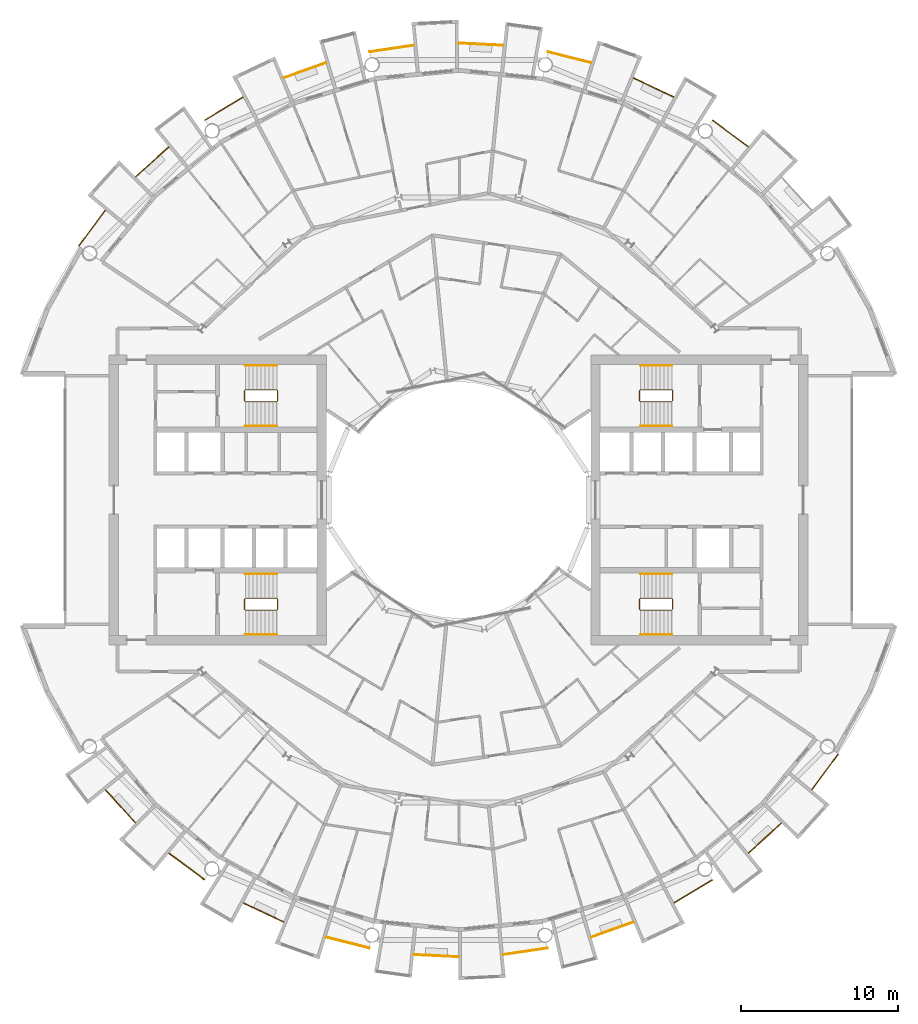
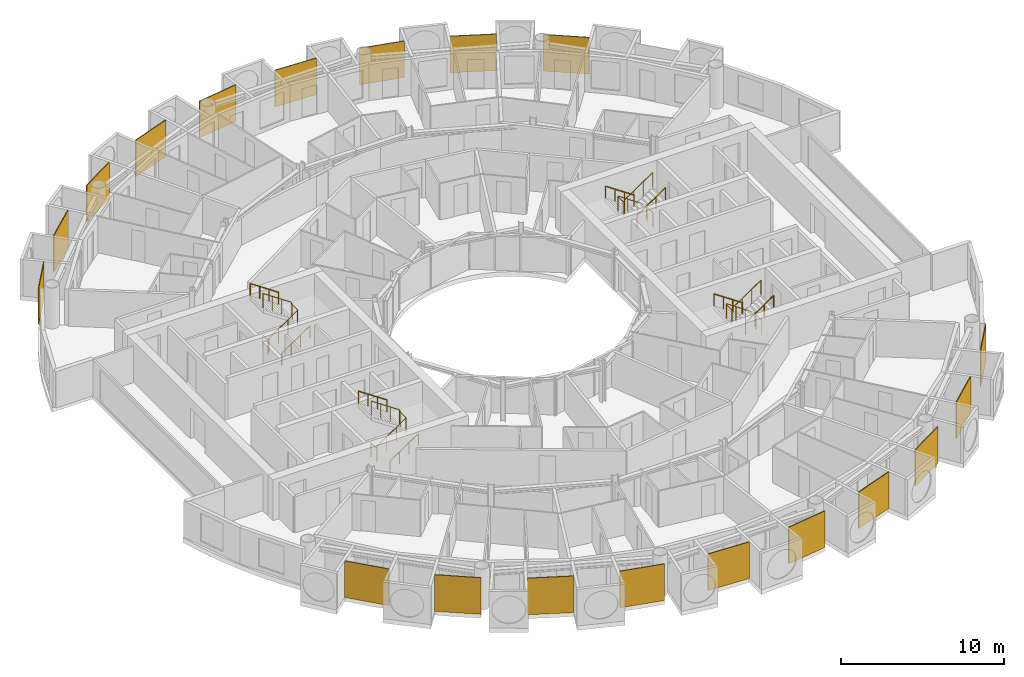
# One storey, part 27 of 28: 31 railings.
"""IFC4 building model written with IfcOpenShell, lengths in metres."""

import ifcopenshell
import ifcopenshell.guid

model = None  # the IFC model being written
_history = None  # IfcOwnerHistory: only IFC2X3 demands one
_inside = {}  # id of a spatial element -> (the spatial element, [elements in it])
_under = {}  # id of a project, library or spatial element -> (it, [spatial elements below it])
_declared = {}  # id of a project -> (the project, [libraries it declares])
_typed = {}  # id of a type object -> (the type object, [elements of that type])
_made_of = {}  # id of a material, layer set ... -> (it, [elements and type objects made of it])


def new_model(schema):
    """Start an empty IFC model of exactly this schema.

    Asked for "IFC4X3", IfcOpenShell would pick the latest addendum, in which some entities
    have other attributes; the version numbers below select the first issue.
    IFC2X3 requires an IfcOwnerHistory on every rooted entity: one is made here for all.
    """
    global model, _history
    if schema == "IFC4X3":
        model = ifcopenshell.file(schema_version=(4, 3, 0, 0))
    else:
        model = ifcopenshell.file(schema=schema)
    _inside.clear()
    _under.clear()
    _declared.clear()
    _typed.clear()
    _made_of.clear()
    _history = None
    if model.schema == "IFC2X3":
        org = make("IfcOrganization", Name="unknown")
        user = make(
            "IfcPersonAndOrganization",
            ThePerson=make("IfcPerson", FamilyName="unknown"),
            TheOrganization=org,
        )
        app = make(
            "IfcApplication",
            ApplicationDeveloper=org,
            Version="unknown",
            ApplicationFullName="unknown",
            ApplicationIdentifier="unknown",
        )
        _history = make(
            "IfcOwnerHistory",
            OwningUser=user,
            OwningApplication=app,
            ChangeAction="ADDED",
            CreationDate=0,
        )
    return model


def make(cls, **values):
    """One entity of the class cls with the attributes given. An attribute that is None is left unset."""
    return model.create_entity(
        cls, **{name: value for name, value in values.items() if value is not None}
    )


def rooted(cls, **values):
    """An entity with a GlobalId (a new one), such as an element, a storey or a relation."""
    return make(cls, GlobalId=ifcopenshell.guid.new(), OwnerHistory=_history, **values)


def si_unit(unit_type, name, prefix=None):
    """IfcSIUnit, for example si_unit("LENGTHUNIT", "METRE", prefix="MILLI")."""
    return make("IfcSIUnit", UnitType=unit_type, Prefix=prefix, Name=name)


def assignment(units):
    """IfcUnitAssignment: the units of a project."""
    return None if units is None else make("IfcUnitAssignment", Units=units)


def point(xyz):
    """IfcCartesianPoint."""
    return None if xyz is None else make("IfcCartesianPoint", Coordinates=xyz)


def direction(xyz):
    """IfcDirection."""
    return None if xyz is None else make("IfcDirection", DirectionRatios=xyz)


def frame(location, z_axis=None, x_axis=None):
    """IfcAxis2Placement3D, a coordinate frame: its origin and axes. An axis left out is left unset."""
    return make(
        "IfcAxis2Placement3D",
        Location=point(location),
        Axis=direction(z_axis),
        RefDirection=direction(x_axis),
    )


def frame_2d(location, x_axis=None):
    """IfcAxis2Placement2D, a coordinate frame in the plane: its origin and x axis."""
    return make(
        "IfcAxis2Placement2D", Location=point(location), RefDirection=direction(x_axis)
    )


def origin():
    """The frame at (0, 0, 0) with its axes left unset."""
    return frame((0.0, 0.0, 0.0))


def origin_2d():
    """The frame at (0, 0) in the plane with its x axis left unset."""
    return frame_2d((0.0, 0.0))


def place(relative_to, where):
    """IfcLocalPlacement: puts the frame where relative to a parent placement (None: the world)."""
    return make(
        "IfcLocalPlacement", PlacementRelTo=relative_to, RelativePlacement=where
    )


def context(
    kind, dimensions, precision=None, world=None, true_north=None, identifier=None
):
    """IfcGeometricRepresentationContext, for example the 3D "Model" context."""
    return make(
        "IfcGeometricRepresentationContext",
        ContextIdentifier=identifier,
        ContextType=kind,
        CoordinateSpaceDimension=dimensions,
        Precision=precision,
        WorldCoordinateSystem=world,
        TrueNorth=true_north,
    )


def subcontext(parent, identifier, kind, view, scale=None):
    """IfcGeometricRepresentationSubContext, for example "Body" below "Model"."""
    return make(
        "IfcGeometricRepresentationSubContext",
        ContextIdentifier=identifier,
        ContextType=kind,
        ParentContext=parent,
        TargetScale=scale,
        TargetView=view,
    )


def project(units=None, contexts=None):
    """IfcProject with its units and contexts."""
    return rooted(
        "IfcProject",
        Name="project",
        RepresentationContexts=contexts,
        UnitsInContext=assignment(units),
    )


def spatial(cls, under=None, at=None, **own):
    """A site, building, storey or space (cls), placed at a placement, below another one or the project."""
    s = rooted(cls, ObjectPlacement=at, **own)
    if under is not None:
        _under.setdefault(under.id(), (under, []))[1].append(s)
    return s


def polyline(points):
    """IfcPolyline through the points."""
    return make("IfcPolyline", Points=[point(p) for p in points])


def profile(cls, at=None, kind="AREA", **sizes):
    """A parametric profile (cls). Its sizes go by their IFC names, for example OverallWidth=200.0."""
    return make(cls, ProfileType=kind, Position=at, **sizes)


def circle(**sizes):
    """IfcCircleProfileDef."""
    return profile("IfcCircleProfileDef", **sizes)


def outline(outer, holes=None, kind="AREA"):
    """IfcArbitraryClosedProfileDef: a profile drawn as a closed curve; with holes, ...WithVoids."""
    if holes is None:
        return make("IfcArbitraryClosedProfileDef", ProfileType=kind, OuterCurve=outer)
    return make(
        "IfcArbitraryProfileDefWithVoids",
        ProfileType=kind,
        OuterCurve=outer,
        InnerCurves=holes,
    )


def extrude(swept, where, along, depth):
    """IfcExtrudedAreaSolid: the profile swept, set in the frame where, extruded along a direction by depth."""
    return make(
        "IfcExtrudedAreaSolid",
        SweptArea=swept,
        Position=where,
        ExtrudedDirection=direction(along),
        Depth=depth,
    )


def shape(context_of_items, identifier, shape_type, items):
    """IfcShapeRepresentation: the items that make up one representation, for example the "Body"."""
    return make(
        "IfcShapeRepresentation",
        ContextOfItems=context_of_items,
        RepresentationIdentifier=identifier,
        RepresentationType=shape_type,
        Items=items,
    )


def material(Name=None, Category=None):
    """IfcMaterial."""
    return make("IfcMaterial", Name=Name, Category=Category)


def layer(
    of_material, thickness, ventilated=None, Name=None, Category=None, Priority=None
):
    """IfcMaterialLayer: one layer of a wall or slab, of a material (None: an air gap)."""
    return make(
        "IfcMaterialLayer",
        Material=of_material,
        LayerThickness=thickness,
        IsVentilated=ventilated,
        Name=Name,
        Category=Category,
        Priority=Priority,
    )


def layer_set(layers, Name=None):
    """IfcMaterialLayerSet."""
    return make("IfcMaterialLayerSet", MaterialLayers=layers, LayerSetName=Name)


def made_of(thing, what):
    """Note that an element or type object is made of a material, layer set ...; save() writes the relation."""
    if what is not None:
        _made_of.setdefault(what.id(), (what, []))[1].append(thing)
    return thing


def type_object(cls, material=None, **own):
    """A type object (cls), such as IfcWallType, which elements share."""
    return made_of(rooted(cls, **own), material)


def element(
    cls,
    number,
    at=None,
    inside=None,
    cuts=None,
    type_object=None,
    material=None,
    context=None,
    identifier="Body",
    shape_type=None,
    held_by="IfcProductDefinitionShape",
    body=None,
    shapes=None,
    **own,
):
    """One element of the class cls, such as IfcWall. Its Tag is "e" and its number.

    at: its placement. inside: the storey or other place that contains it. cuts: it is an
    opening in that element (IfcRelVoidsElement). A single representation is given by context,
    identifier, shape_type and body (its items); several are given by shapes. held_by: the class
    of the entity that holds the representations. save() writes the other relations.
    """
    e = rooted(cls, Tag="e%d" % number, ObjectPlacement=at, **own)
    if body is not None:
        shapes = [shape(context, identifier, shape_type, body)]
    if shapes is not None:
        e.Representation = make(held_by, Representations=shapes)
    if inside is not None:
        _inside.setdefault(inside.id(), (inside, []))[1].append(e)
    if cuts is not None:
        rooted(
            "IfcRelVoidsElement", RelatingBuildingElement=cuts, RelatedOpeningElement=e
        )
    if type_object is not None:
        _typed.setdefault(type_object.id(), (type_object, []))[1].append(e)
    return made_of(e, material)


def aggregate(whole, parts):
    """IfcRelAggregates: a whole, such as a stair, and the parts it consists of."""
    return rooted("IfcRelAggregates", RelatingObject=whole, RelatedObjects=parts)


def save(model, path):
    """Write the relations noted so far, then the file.

    IfcRelAggregates (storeys below a building ...), IfcRelContainedInSpatialStructure (elements
    in a storey), IfcRelDefinesByType, IfcRelAssociatesMaterial and IfcRelDeclares: one each for
    every whole, place, type object, material and project.
    """
    for whole, parts in _under.values():
        aggregate(whole, parts)
    for where, things in _inside.values():
        rooted(
            "IfcRelContainedInSpatialStructure",
            RelatedElements=things,
            RelatingStructure=where,
        )
    for kind, things in _typed.values():
        rooted("IfcRelDefinesByType", RelatedObjects=things, RelatingType=kind)
    for what, things in _made_of.values():
        rooted("IfcRelAssociatesMaterial", RelatedObjects=things, RelatingMaterial=what)
    for by, libraries in _declared.values():
        rooted("IfcRelDeclares", RelatingContext=by, RelatedDefinitions=libraries)
    model.write(path)


model = new_model("IFC4")

# Units and contexts
model_context = context("Model", 3, precision=1e-05, world=origin(), true_north=direction((0.0, 1.0)))
body_context = subcontext(model_context, "Body", "Model", "MODEL_VIEW")
ifc_project = project(units=[si_unit("LENGTHUNIT", "METRE"), si_unit("AREAUNIT", "SQUARE_METRE"), si_unit("VOLUMEUNIT", "CUBIC_METRE"), si_unit("PLANEANGLEUNIT", "RADIAN"), si_unit("MASSUNIT", "GRAM", prefix="KILO")], contexts=[model_context])

# Site, building, storey
site_placement = place(None, origin())
site = spatial("IfcSite", under=ifc_project, at=site_placement, CompositionType="ELEMENT")
building_placement = place(site_placement, origin())
building = spatial("IfcBuilding", under=site, at=building_placement, Name="Maasbend Ring Residences", CompositionType="ELEMENT")
storey_placement = place(building_placement, frame((0.0, 0.0, 133.0)))
storey = spatial("IfcBuildingStorey", under=building, at=storey_placement, Name="L38", CompositionType="ELEMENT", Elevation=133.0)

# Railings
ifc_material_1 = material(Name="Pale anodised perforated aluminium", Category="aluminium")
ifc_layer = layer(ifc_material_1, 0.06005859375)
ifc_layer_set = layer_set([ifc_layer], Name="SCREEN-P")
railing_type_1 = type_object("IfcRailingType", Name="SCREEN-P", PredefinedType="GUARDRAIL", material=ifc_layer_set)
railing_1_placement = place(storey_placement, frame((0.0, 0.0, -0.030029296875)))
element("IfcRailing", 1, at=railing_1_placement, inside=storey, type_object=railing_type_1, Name="Perforated screen guard 2", PredefinedType="GUARDRAIL", context=body_context, shape_type="SweptSolid", body=[
    extrude(outline(polyline([(18.39697265625, 22.4169921875), (16.112060546875, 24.113037109375), (16.14697265625, 24.160888671875), (18.43310546875, 22.465087890625), (18.39697265625, 22.4169921875)])), origin(), (0.0, 0.0, 1.0), 2.72998046875),
])
railing_2_placement = place(storey_placement, frame((0.0, 0.0, -0.030029296875)))
element("IfcRailing", 2, at=railing_2_placement, inside=storey, type_object=railing_type_1, Name="Perforated screen guard 3", PredefinedType="GUARDRAIL", context=body_context, shape_type="SweptSolid", body=[
    extrude(outline(polyline([(13.6708984375, 25.575927734375), (11.097900390625, 26.79296875), (11.123046875, 26.846923828125), (13.696044921875, 25.6298828125), (13.6708984375, 25.575927734375)])), origin(), (0.0, 0.0, 1.0), 2.72998046875),
])
railing_3_placement = place(storey_placement, frame((0.0, 0.0, -0.030029296875)))
element("IfcRailing", 3, at=railing_3_placement, inside=storey, type_object=railing_type_1, Name="Perforated screen guard 4", PredefinedType="GUARDRAIL", context=body_context, shape_type="SweptSolid", body=[
    extrude(outline(polyline([(8.41796875, 27.7509765625), (5.657958984375, 28.443115234375), (5.672119140625, 28.5009765625), (8.43310546875, 27.80908203125), (8.41796875, 27.7509765625)])), origin(), (0.0, 0.0, 1.0), 2.72998046875),
])
railing_4_placement = place(storey_placement, frame((0.0, 0.0, -0.030029296875)))
element("IfcRailing", 4, at=railing_4_placement, inside=storey, type_object=railing_type_1, Name="Perforated screen guard 5", PredefinedType="GUARDRAIL", context=body_context, shape_type="SweptSolid", body=[
    extrude(outline(polyline([(2.842041015625, 28.860107421875), (0.0, 29.0), (0.0029296875, 29.06005859375), (2.844970703125, 28.919921875), (2.842041015625, 28.860107421875)])), origin(), (0.0, 0.0, 1.0), 2.72998046875),
])
railing_5_placement = place(storey_placement, frame((0.0, 0.0, -0.030029296875)))
element("IfcRailing", 5, at=railing_5_placement, inside=storey, type_object=railing_type_1, Name="Perforated screen guard 6", PredefinedType="GUARDRAIL", context=body_context, shape_type="SweptSolid", body=[
    extrude(outline(polyline([(-2.842041015625, 28.860107421875), (-5.657958984375, 28.443115234375), (-5.666015625, 28.501953125), (-2.85107421875, 28.919921875), (-2.842041015625, 28.860107421875)])), origin(), (0.0, 0.0, 1.0), 2.72998046875),
])
railing_6_placement = place(storey_placement, frame((0.0, 0.0, -0.030029296875)))
element("IfcRailing", 6, at=railing_6_placement, inside=storey, type_object=railing_type_1, Name="Perforated screen guard 7", PredefinedType="GUARDRAIL", context=body_context, shape_type="SweptSolid", body=[
    extrude(outline(polyline([(-8.41796875, 27.7509765625), (-11.097900390625, 26.79296875), (-11.117919921875, 26.84912109375), (-8.43798828125, 27.80810546875), (-8.41796875, 27.7509765625)])), origin(), (0.0, 0.0, 1.0), 2.72998046875),
])
railing_7_placement = place(storey_placement, frame((0.0, 0.0, -0.030029296875)))
element("IfcRailing", 7, at=railing_7_placement, inside=storey, type_object=railing_type_1, Name="Perforated screen guard 8", PredefinedType="GUARDRAIL", context=body_context, shape_type="SweptSolid", body=[
    extrude(outline(polyline([(-13.6708984375, 25.575927734375), (-16.112060546875, 24.113037109375), (-16.14208984375, 24.1640625), (-13.700927734375, 25.626953125), (-13.6708984375, 25.575927734375)])), origin(), (0.0, 0.0, 1.0), 2.72998046875),
])
railing_8_placement = place(storey_placement, frame((0.0, 0.0, -0.030029296875)))
element("IfcRailing", 8, at=railing_8_placement, inside=storey, type_object=railing_type_1, Name="Perforated screen guard 9", PredefinedType="GUARDRAIL", context=body_context, shape_type="SweptSolid", body=[
    extrude(outline(polyline([(-18.39697265625, 22.4169921875), (-20.506103515625, 20.506103515625), (-20.5458984375, 20.551025390625), (-18.43798828125, 22.4619140625), (-18.39697265625, 22.4169921875)])), origin(), (0.0, 0.0, 1.0), 2.72998046875),
])
railing_9_placement = place(storey_placement, frame((0.0, 0.0, -0.030029296875)))
element("IfcRailing", 9, at=railing_9_placement, inside=storey, type_object=railing_type_1, Name="Perforated screen guard 10", PredefinedType="GUARDRAIL", context=body_context, shape_type="SweptSolid", body=[
    extrude(outline(polyline([(-22.4169921875, 18.39697265625), (-24.113037109375, 16.112060546875), (-24.160888671875, 16.14697265625), (-22.465087890625, 18.43310546875), (-22.4169921875, 18.39697265625)])), origin(), (0.0, 0.0, 1.0), 2.72998046875),
])
railing_10_placement = place(storey_placement, frame((0.0, 0.0, -0.030029296875)))
element("IfcRailing", 10, at=railing_10_placement, inside=storey, type_object=railing_type_1, Name="Perforated screen guard 1", PredefinedType="GUARDRAIL", context=body_context, shape_type="SweptSolid", body=[
    extrude(outline(polyline([(-22.4169921875, -18.39697265625), (-20.506103515625, -20.506103515625), (-20.551025390625, -20.5458984375), (-22.4619140625, -18.43798828125), (-22.4169921875, -18.39697265625)])), origin(), (0.0, 0.0, 1.0), 2.72998046875),
])
railing_11_placement = place(storey_placement, frame((0.0, 0.0, -0.030029296875)))
element("IfcRailing", 11, at=railing_11_placement, inside=storey, type_object=railing_type_1, Name="Perforated screen guard 2", PredefinedType="GUARDRAIL", context=body_context, shape_type="SweptSolid", body=[
    extrude(outline(polyline([(-18.39697265625, -22.4169921875), (-16.112060546875, -24.113037109375), (-16.14697265625, -24.160888671875), (-18.43310546875, -22.465087890625), (-18.39697265625, -22.4169921875)])), origin(), (0.0, 0.0, 1.0), 2.72998046875),
])
railing_12_placement = place(storey_placement, frame((0.0, 0.0, -0.030029296875)))
element("IfcRailing", 12, at=railing_12_placement, inside=storey, type_object=railing_type_1, Name="Perforated screen guard 3", PredefinedType="GUARDRAIL", context=body_context, shape_type="SweptSolid", body=[
    extrude(outline(polyline([(-13.6708984375, -25.575927734375), (-11.097900390625, -26.79296875), (-11.123046875, -26.846923828125), (-13.696044921875, -25.6298828125), (-13.6708984375, -25.575927734375)])), origin(), (0.0, 0.0, 1.0), 2.72998046875),
])
railing_13_placement = place(storey_placement, frame((0.0, 0.0, -0.030029296875)))
element("IfcRailing", 13, at=railing_13_placement, inside=storey, type_object=railing_type_1, Name="Perforated screen guard 4", PredefinedType="GUARDRAIL", context=body_context, shape_type="SweptSolid", body=[
    extrude(outline(polyline([(-8.41796875, -27.7509765625), (-5.657958984375, -28.443115234375), (-5.672119140625, -28.5009765625), (-8.43310546875, -27.80908203125), (-8.41796875, -27.7509765625)])), origin(), (0.0, 0.0, 1.0), 2.72998046875),
])
railing_14_placement = place(storey_placement, frame((0.0, 0.0, -0.030029296875)))
element("IfcRailing", 14, at=railing_14_placement, inside=storey, type_object=railing_type_1, Name="Perforated screen guard 5", PredefinedType="GUARDRAIL", context=body_context, shape_type="SweptSolid", body=[
    extrude(outline(polyline([(-2.842041015625, -28.860107421875), (0.0, -29.0), (-0.0029296875, -29.06005859375), (-2.844970703125, -28.919921875), (-2.842041015625, -28.860107421875)])), origin(), (0.0, 0.0, 1.0), 2.72998046875),
])
railing_15_placement = place(storey_placement, frame((0.0, 0.0, -0.030029296875)))
element("IfcRailing", 15, at=railing_15_placement, inside=storey, type_object=railing_type_1, Name="Perforated screen guard 6", PredefinedType="GUARDRAIL", context=body_context, shape_type="SweptSolid", body=[
    extrude(outline(polyline([(2.842041015625, -28.860107421875), (5.657958984375, -28.443115234375), (5.666015625, -28.501953125), (2.85107421875, -28.919921875), (2.842041015625, -28.860107421875)])), origin(), (0.0, 0.0, 1.0), 2.72998046875),
])
railing_16_placement = place(storey_placement, frame((0.0, 0.0, -0.030029296875)))
element("IfcRailing", 16, at=railing_16_placement, inside=storey, type_object=railing_type_1, Name="Perforated screen guard 7", PredefinedType="GUARDRAIL", context=body_context, shape_type="SweptSolid", body=[
    extrude(outline(polyline([(8.41796875, -27.7509765625), (11.097900390625, -26.79296875), (11.117919921875, -26.84912109375), (8.43798828125, -27.80810546875), (8.41796875, -27.7509765625)])), origin(), (0.0, 0.0, 1.0), 2.72998046875),
])
railing_17_placement = place(storey_placement, frame((0.0, 0.0, -0.030029296875)))
element("IfcRailing", 17, at=railing_17_placement, inside=storey, type_object=railing_type_1, Name="Perforated screen guard 8", PredefinedType="GUARDRAIL", context=body_context, shape_type="SweptSolid", body=[
    extrude(outline(polyline([(13.6708984375, -25.575927734375), (16.112060546875, -24.113037109375), (16.14208984375, -24.1640625), (13.700927734375, -25.626953125), (13.6708984375, -25.575927734375)])), origin(), (0.0, 0.0, 1.0), 2.72998046875),
])
railing_18_placement = place(storey_placement, frame((0.0, 0.0, -0.030029296875)))
element("IfcRailing", 18, at=railing_18_placement, inside=storey, type_object=railing_type_1, Name="Perforated screen guard 9", PredefinedType="GUARDRAIL", context=body_context, shape_type="SweptSolid", body=[
    extrude(outline(polyline([(18.39697265625, -22.4169921875), (20.506103515625, -20.506103515625), (20.5458984375, -20.551025390625), (18.43798828125, -22.4619140625), (18.39697265625, -22.4169921875)])), origin(), (0.0, 0.0, 1.0), 2.72998046875),
])
railing_19_placement = place(storey_placement, frame((0.0, 0.0, -0.030029296875)))
element("IfcRailing", 19, at=railing_19_placement, inside=storey, type_object=railing_type_1, Name="Perforated screen guard 10", PredefinedType="GUARDRAIL", context=body_context, shape_type="SweptSolid", body=[
    extrude(outline(polyline([(22.4169921875, -18.39697265625), (24.113037109375, -16.112060546875), (24.160888671875, -16.14697265625), (22.465087890625, -18.43310546875), (22.4169921875, -18.39697265625)])), origin(), (0.0, 0.0, 1.0), 2.72998046875),
])
ifc_material_2 = material(Name="Stainless steel 316", Category="steel")
railing_type_2 = type_object("IfcRailingType", Name="STAIR GUARD 1100", PredefinedType="GUARDRAIL", material=ifc_material_2)
railing_20_placement = place(storey_placement, frame((13.60009765625, 6.300048828125, 0.0)))
element("IfcRailing", 20, at=railing_20_placement, inside=storey, type_object=railing_type_2, Name="L38 ST-E1 stair guard 1", PredefinedType="GUARDRAIL", context=body_context, shape_type="SweptSolid", body=[
    extrude(circle(Radius=0.02392578125, at=origin_2d()), frame((0.0, 0.0, 1.076171875), z_axis=(0.0, 1.0, 0.0), x_axis=(-1.0, 0.0, 0.0)), (0.0, 0.0, 1.0), 0.64990234375),
    extrude(circle(Radius=0.02392578125, at=origin_2d()), frame((0.0, 0.64990234375, 1.076171875), z_axis=(-0.272562526181, 0.272562526181, 0.92272386912), x_axis=(-0.707106781187, -0.707106781187, 0.0)), (0.0, 0.0, 1.0), 0.18359375),
    extrude(circle(Radius=0.02392578125, at=origin_2d()), frame((-0.050048828125, 0.699951171875, 1.24560546875), z_axis=(-0.827797584762, 0.0, 0.561026878735), x_axis=(0.0, -1.0, 0.0)), (0.0, 0.0, 1.0), 2.416015625),
    extrude(circle(Radius=0.02392578125, at=origin_2d()), frame((-2.050048828125, 0.699951171875, 2.60107421875), z_axis=(-0.707106781187, -0.707106781187, 0.0), x_axis=(0.707106781187, -0.707106781187, 0.0)), (0.0, 0.0, 1.0), 0.07080078125),
    extrude(circle(Radius=0.02392578125, at=origin_2d()), frame((-2.10009765625, 0.64990234375, 2.60107421875), z_axis=(0.0, -1.0, 0.0), x_axis=(1.0, 0.0, 0.0)), (0.0, 0.0, 1.0), 0.64990234375),
    extrude(circle(Radius=0.02392578125, at=origin_2d()), frame((-2.10009765625, 0.0, 2.60107421875), z_axis=(0.272562526181, -0.272562526181, 0.92272386912), x_axis=(0.707106781187, 0.707106781187, 0.0)), (0.0, 0.0, 1.0), 0.18359375),
    extrude(circle(Radius=0.02392578125, at=origin_2d()), frame((-2.050048828125, -0.050048828125, 2.7705078125), z_axis=(0.827750655447, 0.0, 0.561096116906), x_axis=(0.0, 1.0, 0.0)), (0.0, 0.0, 1.0), 2.416259765625),
    extrude(circle(Radius=0.02099609375, at=origin_2d()), origin(), (0.0, 0.0, 1.0), 1.052001953125),
    extrude(circle(Radius=0.02099609375, at=origin_2d()), frame((0.0, 0.64990234375, 0.0)), (0.0, 0.0, 1.0), 1.052001953125),
    extrude(circle(Radius=0.02099609375, at=origin_2d()), frame((-0.050048828125, 0.699951171875, 0.16943359375)), (0.0, 0.0, 1.0), 1.052001953125),
    extrude(circle(Radius=0.02099609375, at=origin_2d()), frame((-0.716796875, 0.699951171875, 0.621337890625)), (0.0, 0.0, 1.0), 1.052001953125),
    extrude(circle(Radius=0.02099609375, at=origin_2d()), frame((-1.38330078125, 0.699951171875, 1.072998046875)), (0.0, 0.0, 1.0), 1.052001953125),
    extrude(circle(Radius=0.02099609375, at=origin_2d()), frame((-2.050048828125, 0.699951171875, 1.52490234375)), (0.0, 0.0, 1.0), 1.052001953125),
    extrude(circle(Radius=0.02099609375, at=origin_2d()), frame((-2.10009765625, 0.64990234375, 1.52490234375)), (0.0, 0.0, 1.0), 1.052001953125),
    extrude(circle(Radius=0.02099609375, at=origin_2d()), frame((-2.10009765625, 0.0, 1.52490234375)), (0.0, 0.0, 1.0), 1.052001953125),
    extrude(circle(Radius=0.02099609375, at=origin_2d()), frame((-2.050048828125, -0.050048828125, 1.6943359375)), (0.0, 0.0, 1.0), 1.052001953125),
    extrude(circle(Radius=0.02099609375, at=origin_2d()), frame((-1.38330078125, -0.050048828125, 2.146240234375)), (0.0, 0.0, 1.0), 1.052001953125),
    extrude(circle(Radius=0.02099609375, at=origin_2d()), frame((-0.716796875, -0.050048828125, 2.59814453125)), (0.0, 0.0, 1.0), 1.052001953125),
    extrude(circle(Radius=0.02099609375, at=origin_2d()), frame((-0.050048828125, -0.050048828125, 3.050048828125)), (0.0, 0.0, 1.0), 1.052001953125),
])
railing_21_placement = place(storey_placement, frame((13.60009765625, -6.949951171875, 0.0)))
element("IfcRailing", 21, at=railing_21_placement, inside=storey, type_object=railing_type_2, Name="L38 ST-E2 stair guard 1", PredefinedType="GUARDRAIL", context=body_context, shape_type="SweptSolid", body=[
    extrude(circle(Radius=0.02392578125, at=origin_2d()), frame((0.0, 0.0, 1.076171875), z_axis=(0.0, 1.0, 0.0), x_axis=(-1.0, 0.0, 0.0)), (0.0, 0.0, 1.0), 0.64990234375),
    extrude(circle(Radius=0.02392578125, at=origin_2d()), frame((0.0, 0.64990234375, 1.076171875), z_axis=(-0.272562526181, 0.272562526181, 0.92272386912), x_axis=(-0.707106781187, -0.707106781187, 0.0)), (0.0, 0.0, 1.0), 0.18359375),
    extrude(circle(Radius=0.02392578125, at=origin_2d()), frame((-0.050048828125, 0.699951171875, 1.24560546875), z_axis=(-0.827797584762, 0.0, 0.561026878735), x_axis=(0.0, -1.0, 0.0)), (0.0, 0.0, 1.0), 2.416015625),
    extrude(circle(Radius=0.02392578125, at=origin_2d()), frame((-2.050048828125, 0.699951171875, 2.60107421875), z_axis=(-0.707106781187, -0.707106781187, 0.0), x_axis=(0.707106781187, -0.707106781187, 0.0)), (0.0, 0.0, 1.0), 0.07080078125),
    extrude(circle(Radius=0.02392578125, at=origin_2d()), frame((-2.10009765625, 0.64990234375, 2.60107421875), z_axis=(0.0, -1.0, 0.0), x_axis=(1.0, 0.0, 0.0)), (0.0, 0.0, 1.0), 0.64990234375),
    extrude(circle(Radius=0.02392578125, at=origin_2d()), frame((-2.10009765625, 0.0, 2.60107421875), z_axis=(0.272562526181, -0.272562526181, 0.92272386912), x_axis=(0.707106781187, 0.707106781187, 0.0)), (0.0, 0.0, 1.0), 0.18359375),
    extrude(circle(Radius=0.02392578125, at=origin_2d()), frame((-2.050048828125, -0.050048828125, 2.7705078125), z_axis=(0.827750655447, 0.0, 0.561096116906), x_axis=(0.0, 1.0, 0.0)), (0.0, 0.0, 1.0), 2.416259765625),
    extrude(circle(Radius=0.02099609375, at=origin_2d()), origin(), (0.0, 0.0, 1.0), 1.052001953125),
    extrude(circle(Radius=0.02099609375, at=origin_2d()), frame((0.0, 0.64990234375, 0.0)), (0.0, 0.0, 1.0), 1.052001953125),
    extrude(circle(Radius=0.02099609375, at=origin_2d()), frame((-0.050048828125, 0.699951171875, 0.16943359375)), (0.0, 0.0, 1.0), 1.052001953125),
    extrude(circle(Radius=0.02099609375, at=origin_2d()), frame((-0.716796875, 0.699951171875, 0.621337890625)), (0.0, 0.0, 1.0), 1.052001953125),
    extrude(circle(Radius=0.02099609375, at=origin_2d()), frame((-1.38330078125, 0.699951171875, 1.072998046875)), (0.0, 0.0, 1.0), 1.052001953125),
    extrude(circle(Radius=0.02099609375, at=origin_2d()), frame((-2.050048828125, 0.699951171875, 1.52490234375)), (0.0, 0.0, 1.0), 1.052001953125),
    extrude(circle(Radius=0.02099609375, at=origin_2d()), frame((-2.10009765625, 0.64990234375, 1.52490234375)), (0.0, 0.0, 1.0), 1.052001953125),
    extrude(circle(Radius=0.02099609375, at=origin_2d()), frame((-2.10009765625, 0.0, 1.52490234375)), (0.0, 0.0, 1.0), 1.052001953125),
    extrude(circle(Radius=0.02099609375, at=origin_2d()), frame((-2.050048828125, -0.050048828125, 1.6943359375)), (0.0, 0.0, 1.0), 1.052001953125),
    extrude(circle(Radius=0.02099609375, at=origin_2d()), frame((-1.38330078125, -0.050048828125, 2.146240234375)), (0.0, 0.0, 1.0), 1.052001953125),
    extrude(circle(Radius=0.02099609375, at=origin_2d()), frame((-0.716796875, -0.050048828125, 2.59814453125)), (0.0, 0.0, 1.0), 1.052001953125),
    extrude(circle(Radius=0.02099609375, at=origin_2d()), frame((-0.050048828125, -0.050048828125, 3.050048828125)), (0.0, 0.0, 1.0), 1.052001953125),
])
railing_22_placement = place(storey_placement, frame((-13.60009765625, -6.300048828125, 0.0)))
element("IfcRailing", 22, at=railing_22_placement, inside=storey, type_object=railing_type_2, Name="L38 ST-W1 stair guard 1", PredefinedType="GUARDRAIL", context=body_context, shape_type="SweptSolid", body=[
    extrude(circle(Radius=0.02392578125, at=origin_2d()), frame((0.0, 0.0, 1.076171875), z_axis=(0.0, -1.0, 0.0), x_axis=(1.0, 0.0, 0.0)), (0.0, 0.0, 1.0), 0.64990234375),
    extrude(circle(Radius=0.02392578125, at=origin_2d()), frame((0.0, -0.64990234375, 1.076171875), z_axis=(0.272562526181, -0.272562526181, 0.92272386912), x_axis=(0.707106781187, 0.707106781187, 0.0)), (0.0, 0.0, 1.0), 0.18359375),
    extrude(circle(Radius=0.02392578125, at=origin_2d()), frame((0.050048828125, -0.699951171875, 1.24560546875), z_axis=(0.827797584762, 0.0, 0.561026878735), x_axis=(0.0, 1.0, 0.0)), (0.0, 0.0, 1.0), 2.416015625),
    extrude(circle(Radius=0.02392578125, at=origin_2d()), frame((2.050048828125, -0.699951171875, 2.60107421875), z_axis=(0.707106781187, 0.707106781187, 0.0), x_axis=(-0.707106781187, 0.707106781187, 0.0)), (0.0, 0.0, 1.0), 0.07080078125),
    extrude(circle(Radius=0.02392578125, at=origin_2d()), frame((2.10009765625, -0.64990234375, 2.60107421875), z_axis=(0.0, 1.0, 0.0), x_axis=(-1.0, 0.0, 0.0)), (0.0, 0.0, 1.0), 0.64990234375),
    extrude(circle(Radius=0.02392578125, at=origin_2d()), frame((2.10009765625, 0.0, 2.60107421875), z_axis=(-0.272562526181, 0.272562526181, 0.92272386912), x_axis=(-0.707106781187, -0.707106781187, 0.0)), (0.0, 0.0, 1.0), 0.18359375),
    extrude(circle(Radius=0.02392578125, at=origin_2d()), frame((2.050048828125, 0.050048828125, 2.7705078125), z_axis=(-0.827750655447, 0.0, 0.561096116906), x_axis=(0.0, -1.0, 0.0)), (0.0, 0.0, 1.0), 2.416259765625),
    extrude(circle(Radius=0.02099609375, at=origin_2d()), origin(), (0.0, 0.0, 1.0), 1.052001953125),
    extrude(circle(Radius=0.02099609375, at=origin_2d()), frame((0.0, -0.64990234375, 0.0)), (0.0, 0.0, 1.0), 1.052001953125),
    extrude(circle(Radius=0.02099609375, at=origin_2d()), frame((0.050048828125, -0.699951171875, 0.16943359375)), (0.0, 0.0, 1.0), 1.052001953125),
    extrude(circle(Radius=0.02099609375, at=origin_2d()), frame((0.716796875, -0.699951171875, 0.621337890625)), (0.0, 0.0, 1.0), 1.052001953125),
    extrude(circle(Radius=0.02099609375, at=origin_2d()), frame((1.38330078125, -0.699951171875, 1.072998046875)), (0.0, 0.0, 1.0), 1.052001953125),
    extrude(circle(Radius=0.02099609375, at=origin_2d()), frame((2.050048828125, -0.699951171875, 1.52490234375)), (0.0, 0.0, 1.0), 1.052001953125),
    extrude(circle(Radius=0.02099609375, at=origin_2d()), frame((2.10009765625, -0.64990234375, 1.52490234375)), (0.0, 0.0, 1.0), 1.052001953125),
    extrude(circle(Radius=0.02099609375, at=origin_2d()), frame((2.10009765625, 0.0, 1.52490234375)), (0.0, 0.0, 1.0), 1.052001953125),
    extrude(circle(Radius=0.02099609375, at=origin_2d()), frame((2.050048828125, 0.050048828125, 1.6943359375)), (0.0, 0.0, 1.0), 1.052001953125),
    extrude(circle(Radius=0.02099609375, at=origin_2d()), frame((1.38330078125, 0.050048828125, 2.146240234375)), (0.0, 0.0, 1.0), 1.052001953125),
    extrude(circle(Radius=0.02099609375, at=origin_2d()), frame((0.716796875, 0.050048828125, 2.59814453125)), (0.0, 0.0, 1.0), 1.052001953125),
    extrude(circle(Radius=0.02099609375, at=origin_2d()), frame((0.050048828125, 0.050048828125, 3.050048828125)), (0.0, 0.0, 1.0), 1.052001953125),
])
railing_23_placement = place(storey_placement, frame((-13.60009765625, 6.949951171875, 0.0)))
element("IfcRailing", 23, at=railing_23_placement, inside=storey, type_object=railing_type_2, Name="L38 ST-W2 stair guard 1", PredefinedType="GUARDRAIL", context=body_context, shape_type="SweptSolid", body=[
    extrude(circle(Radius=0.02392578125, at=origin_2d()), frame((0.0, 0.0, 1.076171875), z_axis=(0.0, -1.0, 0.0), x_axis=(1.0, 0.0, 0.0)), (0.0, 0.0, 1.0), 0.64990234375),
    extrude(circle(Radius=0.02392578125, at=origin_2d()), frame((0.0, -0.64990234375, 1.076171875), z_axis=(0.272562526181, -0.272562526181, 0.92272386912), x_axis=(0.707106781187, 0.707106781187, 0.0)), (0.0, 0.0, 1.0), 0.18359375),
    extrude(circle(Radius=0.02392578125, at=origin_2d()), frame((0.050048828125, -0.699951171875, 1.24560546875), z_axis=(0.827797584762, 0.0, 0.561026878735), x_axis=(0.0, 1.0, 0.0)), (0.0, 0.0, 1.0), 2.416015625),
    extrude(circle(Radius=0.02392578125, at=origin_2d()), frame((2.050048828125, -0.699951171875, 2.60107421875), z_axis=(0.707106781187, 0.707106781187, 0.0), x_axis=(-0.707106781187, 0.707106781187, 0.0)), (0.0, 0.0, 1.0), 0.07080078125),
    extrude(circle(Radius=0.02392578125, at=origin_2d()), frame((2.10009765625, -0.64990234375, 2.60107421875), z_axis=(0.0, 1.0, 0.0), x_axis=(-1.0, 0.0, 0.0)), (0.0, 0.0, 1.0), 0.64990234375),
    extrude(circle(Radius=0.02392578125, at=origin_2d()), frame((2.10009765625, 0.0, 2.60107421875), z_axis=(-0.272562526181, 0.272562526181, 0.92272386912), x_axis=(-0.707106781187, -0.707106781187, 0.0)), (0.0, 0.0, 1.0), 0.18359375),
    extrude(circle(Radius=0.02392578125, at=origin_2d()), frame((2.050048828125, 0.050048828125, 2.7705078125), z_axis=(-0.827750655447, 0.0, 0.561096116906), x_axis=(0.0, -1.0, 0.0)), (0.0, 0.0, 1.0), 2.416259765625),
    extrude(circle(Radius=0.02099609375, at=origin_2d()), origin(), (0.0, 0.0, 1.0), 1.052001953125),
    extrude(circle(Radius=0.02099609375, at=origin_2d()), frame((0.0, -0.64990234375, 0.0)), (0.0, 0.0, 1.0), 1.052001953125),
    extrude(circle(Radius=0.02099609375, at=origin_2d()), frame((0.050048828125, -0.699951171875, 0.16943359375)), (0.0, 0.0, 1.0), 1.052001953125),
    extrude(circle(Radius=0.02099609375, at=origin_2d()), frame((0.716796875, -0.699951171875, 0.621337890625)), (0.0, 0.0, 1.0), 1.052001953125),
    extrude(circle(Radius=0.02099609375, at=origin_2d()), frame((1.38330078125, -0.699951171875, 1.072998046875)), (0.0, 0.0, 1.0), 1.052001953125),
    extrude(circle(Radius=0.02099609375, at=origin_2d()), frame((2.050048828125, -0.699951171875, 1.52490234375)), (0.0, 0.0, 1.0), 1.052001953125),
    extrude(circle(Radius=0.02099609375, at=origin_2d()), frame((2.10009765625, -0.64990234375, 1.52490234375)), (0.0, 0.0, 1.0), 1.052001953125),
    extrude(circle(Radius=0.02099609375, at=origin_2d()), frame((2.10009765625, 0.0, 1.52490234375)), (0.0, 0.0, 1.0), 1.052001953125),
    extrude(circle(Radius=0.02099609375, at=origin_2d()), frame((2.050048828125, 0.050048828125, 1.6943359375)), (0.0, 0.0, 1.0), 1.052001953125),
    extrude(circle(Radius=0.02099609375, at=origin_2d()), frame((1.38330078125, 0.050048828125, 2.146240234375)), (0.0, 0.0, 1.0), 1.052001953125),
    extrude(circle(Radius=0.02099609375, at=origin_2d()), frame((0.716796875, 0.050048828125, 2.59814453125)), (0.0, 0.0, 1.0), 1.052001953125),
    extrude(circle(Radius=0.02099609375, at=origin_2d()), frame((0.050048828125, 0.050048828125, 3.050048828125)), (0.0, 0.0, 1.0), 1.052001953125),
])
ifc_material_3 = material(Name="Stainless steel 316", Category="steel")
railing_type_3 = type_object("IfcRailingType", Name="STAIR HANDRAIL 900", PredefinedType="HANDRAIL", material=ifc_material_3)
railing_24_placement = place(storey_placement, frame((13.550048828125, 8.550048828125, 0.16943359375)))
element("IfcRailing", 24, at=railing_24_placement, inside=storey, type_object=railing_type_3, Name="L38 ST-E1 stair handrail 1", PredefinedType="HANDRAIL", context=body_context, shape_type="SweptSolid", body=[
    extrude(circle(Radius=0.02392578125, at=origin_2d()), frame((0.0, 0.0, 0.8759765625), z_axis=(-0.827797584762, 0.0, 0.561026878735), x_axis=(0.0, -1.0, 0.0)), (0.0, 0.0, 1.0), 2.416015625),
    extrude(circle(Radius=0.02099609375, at=origin_2d()), origin(), (0.0, 0.0, 1.0), 0.851806640625),
    extrude(circle(Radius=0.02099609375, at=origin_2d()), frame((-0.666748046875, 0.0, 0.451904296875)), (0.0, 0.0, 1.0), 0.851806640625),
    extrude(circle(Radius=0.02099609375, at=origin_2d()), frame((-1.333251953125, 0.0, 0.903564453125)), (0.0, 0.0, 1.0), 0.851806640625),
    extrude(circle(Radius=0.02099609375, at=origin_2d()), frame((-2.0, 0.0, 1.35546875)), (0.0, 0.0, 1.0), 0.851806640625),
])
railing_25_placement = place(storey_placement, frame((11.550048828125, 4.699951171875, 1.6943359375)))
element("IfcRailing", 25, at=railing_25_placement, inside=storey, type_object=railing_type_3, Name="L38 ST-E1 stair handrail 2", PredefinedType="HANDRAIL", context=body_context, shape_type="SweptSolid", body=[
    extrude(circle(Radius=0.02392578125, at=origin_2d()), frame((0.0, 0.0, 0.8759765625), z_axis=(0.827750655447, 0.0, 0.561096116906), x_axis=(0.0, 1.0, 0.0)), (0.0, 0.0, 1.0), 2.416259765625),
    extrude(circle(Radius=0.02099609375, at=origin_2d()), origin(), (0.0, 0.0, 1.0), 0.851806640625),
    extrude(circle(Radius=0.02099609375, at=origin_2d()), frame((0.666748046875, 0.0, 0.451904296875)), (0.0, 0.0, 1.0), 0.851806640625),
    extrude(circle(Radius=0.02099609375, at=origin_2d()), frame((1.333251953125, 0.0, 0.90380859375)), (0.0, 0.0, 1.0), 0.851806640625),
    extrude(circle(Radius=0.02099609375, at=origin_2d()), frame((2.0, 0.0, 1.355712890625)), (0.0, 0.0, 1.0), 0.851806640625),
])
railing_26_placement = place(storey_placement, frame((13.550048828125, -4.699951171875, 0.16943359375)))
element("IfcRailing", 26, at=railing_26_placement, inside=storey, type_object=railing_type_3, Name="L38 ST-E2 stair handrail 1", PredefinedType="HANDRAIL", context=body_context, shape_type="SweptSolid", body=[
    extrude(circle(Radius=0.02392578125, at=origin_2d()), frame((0.0, 0.0, 0.8759765625), z_axis=(-0.827797584762, 0.0, 0.561026878735), x_axis=(0.0, -1.0, 0.0)), (0.0, 0.0, 1.0), 2.416015625),
    extrude(circle(Radius=0.02099609375, at=origin_2d()), origin(), (0.0, 0.0, 1.0), 0.851806640625),
    extrude(circle(Radius=0.02099609375, at=origin_2d()), frame((-0.666748046875, 0.0, 0.451904296875)), (0.0, 0.0, 1.0), 0.851806640625),
    extrude(circle(Radius=0.02099609375, at=origin_2d()), frame((-1.333251953125, 0.0, 0.903564453125)), (0.0, 0.0, 1.0), 0.851806640625),
    extrude(circle(Radius=0.02099609375, at=origin_2d()), frame((-2.0, 0.0, 1.35546875)), (0.0, 0.0, 1.0), 0.851806640625),
])
railing_27_placement = place(storey_placement, frame((11.550048828125, -8.550048828125, 1.6943359375)))
element("IfcRailing", 27, at=railing_27_placement, inside=storey, type_object=railing_type_3, Name="L38 ST-E2 stair handrail 2", PredefinedType="HANDRAIL", context=body_context, shape_type="SweptSolid", body=[
    extrude(circle(Radius=0.02392578125, at=origin_2d()), frame((0.0, 0.0, 0.8759765625), z_axis=(0.827750655447, 0.0, 0.561096116906), x_axis=(0.0, 1.0, 0.0)), (0.0, 0.0, 1.0), 2.416259765625),
    extrude(circle(Radius=0.02099609375, at=origin_2d()), origin(), (0.0, 0.0, 1.0), 0.851806640625),
    extrude(circle(Radius=0.02099609375, at=origin_2d()), frame((0.666748046875, 0.0, 0.451904296875)), (0.0, 0.0, 1.0), 0.851806640625),
    extrude(circle(Radius=0.02099609375, at=origin_2d()), frame((1.333251953125, 0.0, 0.90380859375)), (0.0, 0.0, 1.0), 0.851806640625),
    extrude(circle(Radius=0.02099609375, at=origin_2d()), frame((2.0, 0.0, 1.355712890625)), (0.0, 0.0, 1.0), 0.851806640625),
])
railing_28_placement = place(storey_placement, frame((-13.550048828125, -8.550048828125, 0.16943359375)))
element("IfcRailing", 28, at=railing_28_placement, inside=storey, type_object=railing_type_3, Name="L38 ST-W1 stair handrail 1", PredefinedType="HANDRAIL", context=body_context, shape_type="SweptSolid", body=[
    extrude(circle(Radius=0.02392578125, at=origin_2d()), frame((0.0, 0.0, 0.8759765625), z_axis=(0.827797584762, 0.0, 0.561026878735), x_axis=(0.0, 1.0, 0.0)), (0.0, 0.0, 1.0), 2.416015625),
    extrude(circle(Radius=0.02099609375, at=origin_2d()), origin(), (0.0, 0.0, 1.0), 0.851806640625),
    extrude(circle(Radius=0.02099609375, at=origin_2d()), frame((0.666748046875, 0.0, 0.451904296875)), (0.0, 0.0, 1.0), 0.851806640625),
    extrude(circle(Radius=0.02099609375, at=origin_2d()), frame((1.333251953125, 0.0, 0.903564453125)), (0.0, 0.0, 1.0), 0.851806640625),
    extrude(circle(Radius=0.02099609375, at=origin_2d()), frame((2.0, 0.0, 1.35546875)), (0.0, 0.0, 1.0), 0.851806640625),
])
railing_29_placement = place(storey_placement, frame((-11.550048828125, -4.699951171875, 1.6943359375)))
element("IfcRailing", 29, at=railing_29_placement, inside=storey, type_object=railing_type_3, Name="L38 ST-W1 stair handrail 2", PredefinedType="HANDRAIL", context=body_context, shape_type="SweptSolid", body=[
    extrude(circle(Radius=0.02392578125, at=origin_2d()), frame((0.0, 0.0, 0.8759765625), z_axis=(-0.827750655447, 0.0, 0.561096116906), x_axis=(0.0, -1.0, 0.0)), (0.0, 0.0, 1.0), 2.416259765625),
    extrude(circle(Radius=0.02099609375, at=origin_2d()), origin(), (0.0, 0.0, 1.0), 0.851806640625),
    extrude(circle(Radius=0.02099609375, at=origin_2d()), frame((-0.666748046875, 0.0, 0.451904296875)), (0.0, 0.0, 1.0), 0.851806640625),
    extrude(circle(Radius=0.02099609375, at=origin_2d()), frame((-1.333251953125, 0.0, 0.90380859375)), (0.0, 0.0, 1.0), 0.851806640625),
    extrude(circle(Radius=0.02099609375, at=origin_2d()), frame((-2.0, 0.0, 1.355712890625)), (0.0, 0.0, 1.0), 0.851806640625),
])
railing_30_placement = place(storey_placement, frame((-13.550048828125, 4.699951171875, 0.16943359375)))
element("IfcRailing", 30, at=railing_30_placement, inside=storey, type_object=railing_type_3, Name="L38 ST-W2 stair handrail 1", PredefinedType="HANDRAIL", context=body_context, shape_type="SweptSolid", body=[
    extrude(circle(Radius=0.02392578125, at=origin_2d()), frame((0.0, 0.0, 0.8759765625), z_axis=(0.827797584762, 0.0, 0.561026878735), x_axis=(0.0, 1.0, 0.0)), (0.0, 0.0, 1.0), 2.416015625),
    extrude(circle(Radius=0.02099609375, at=origin_2d()), origin(), (0.0, 0.0, 1.0), 0.851806640625),
    extrude(circle(Radius=0.02099609375, at=origin_2d()), frame((0.666748046875, 0.0, 0.451904296875)), (0.0, 0.0, 1.0), 0.851806640625),
    extrude(circle(Radius=0.02099609375, at=origin_2d()), frame((1.333251953125, 0.0, 0.903564453125)), (0.0, 0.0, 1.0), 0.851806640625),
    extrude(circle(Radius=0.02099609375, at=origin_2d()), frame((2.0, 0.0, 1.35546875)), (0.0, 0.0, 1.0), 0.851806640625),
])
railing_31_placement = place(storey_placement, frame((-11.550048828125, 8.550048828125, 1.6943359375)))
element("IfcRailing", 31, at=railing_31_placement, inside=storey, type_object=railing_type_3, Name="L38 ST-W2 stair handrail 2", PredefinedType="HANDRAIL", context=body_context, shape_type="SweptSolid", body=[
    extrude(circle(Radius=0.02392578125, at=origin_2d()), frame((0.0, 0.0, 0.8759765625), z_axis=(-0.827750655447, 0.0, 0.561096116906), x_axis=(0.0, -1.0, 0.0)), (0.0, 0.0, 1.0), 2.416259765625),
    extrude(circle(Radius=0.02099609375, at=origin_2d()), origin(), (0.0, 0.0, 1.0), 0.851806640625),
    extrude(circle(Radius=0.02099609375, at=origin_2d()), frame((-0.666748046875, 0.0, 0.451904296875)), (0.0, 0.0, 1.0), 0.851806640625),
    extrude(circle(Radius=0.02099609375, at=origin_2d()), frame((-1.333251953125, 0.0, 0.90380859375)), (0.0, 0.0, 1.0), 0.851806640625),
    extrude(circle(Radius=0.02099609375, at=origin_2d()), frame((-2.0, 0.0, 1.355712890625)), (0.0, 0.0, 1.0), 0.851806640625),
])

save(model, "model.ifc")
